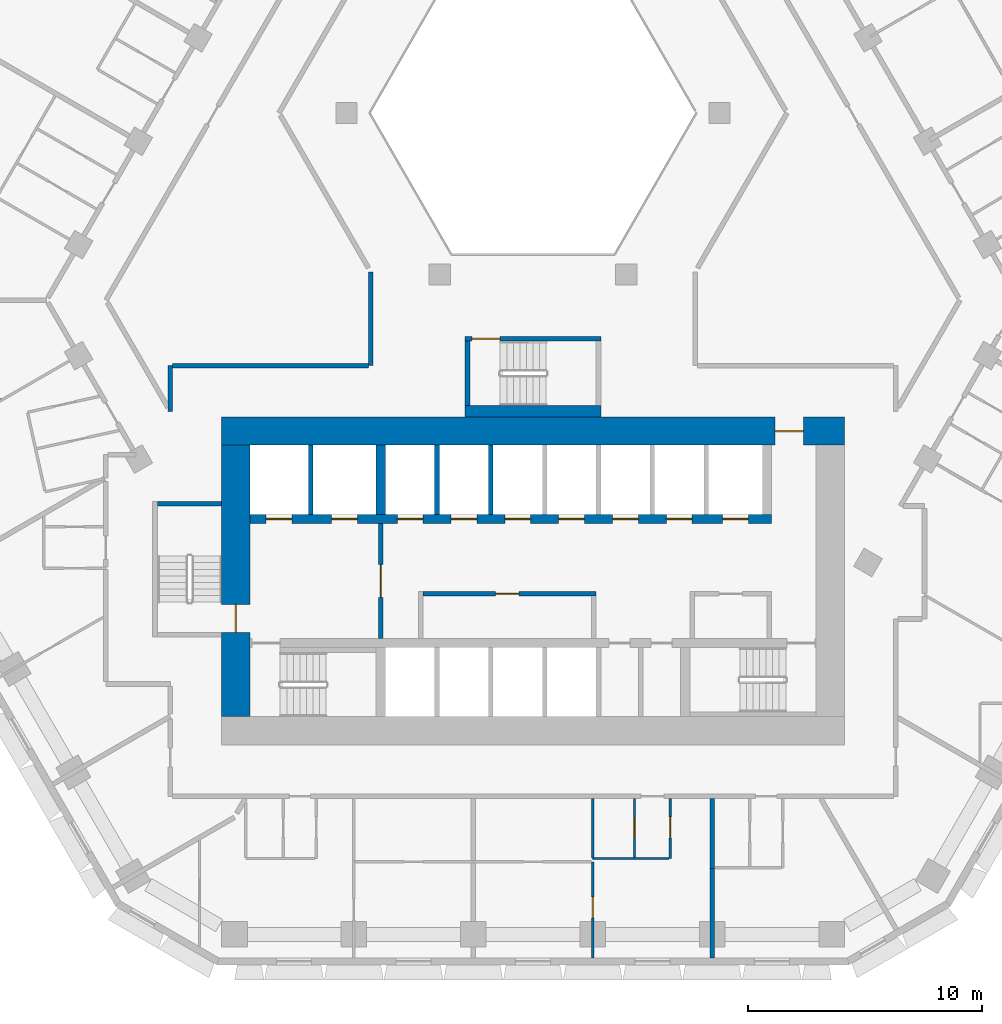
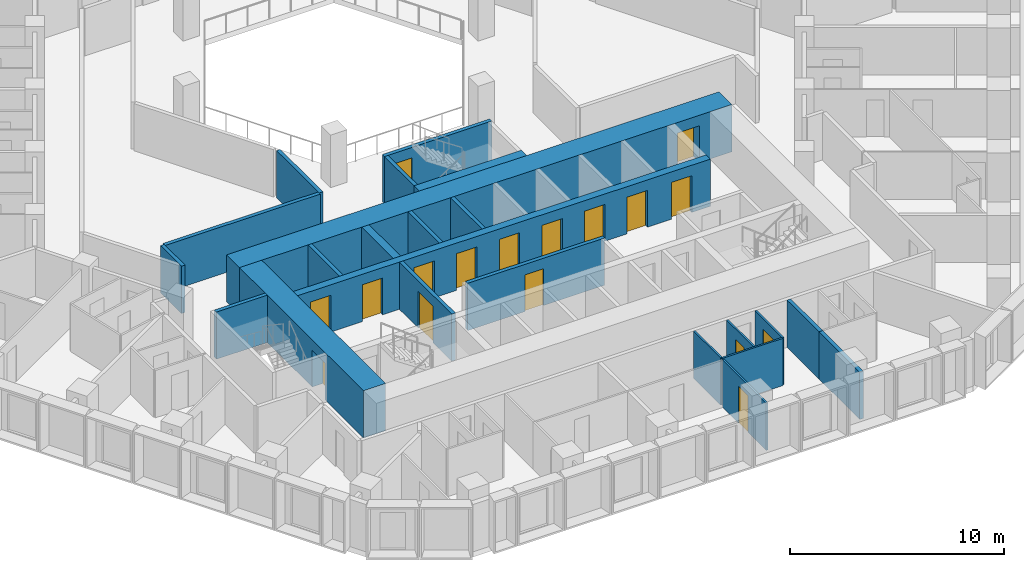
# One storey, part 5 of 16: 23 walls, 17 doors, 17 openings.
"""IFC4 building model written with IfcOpenShell, lengths in metres."""

from ifc_helpers import new_model, si_unit, direction, frame, frame_2d, origin, place, context, subcontext, project, spatial, rectangle, extrude, material, layer, layer_set, type_object, element, fill, save


model = new_model("IFC4")

# Units and contexts
model_context = context("Model", 3, precision=1e-05, world=origin(), true_north=direction((0.0, 1.0)))
body_context = subcontext(model_context, "Body", "Model", "MODEL_VIEW")
ifc_project = project(units=[si_unit("LENGTHUNIT", "METRE"), si_unit("AREAUNIT", "SQUARE_METRE"), si_unit("VOLUMEUNIT", "CUBIC_METRE"), si_unit("PLANEANGLEUNIT", "RADIAN"), si_unit("MASSUNIT", "GRAM", prefix="KILO")], contexts=[model_context])

# Site, building, storey
site_placement = place(None, origin())
site = spatial("IfcSite", under=ifc_project, at=site_placement, CompositionType="ELEMENT")
building_placement = place(site_placement, origin())
building = spatial("IfcBuilding", under=site, at=building_placement, Name="Beryl Residences", CompositionType="ELEMENT")
storey_placement = place(building_placement, frame((0.0, 0.0, 50.39990234375)))
storey = spatial("IfcBuildingStorey", under=building, at=storey_placement, Name="L15", CompositionType="ELEMENT", Elevation=50.39990234375)

# Walls
ifc_material_1 = material(Name="Gypsum board partition on steel studs", Category="steel")
ifc_layer_1 = layer(ifc_material_1, 0.10009765625)
ifc_layer_set_1 = layer_set([ifc_layer_1], Name="PT1 partition 100 mm gypsum board on steel studs")
wall_type_1 = type_object("IfcWallType", Name="PT1 partition 100 mm gypsum board on steel studs", PredefinedType="PARTITIONING", material=ifc_layer_set_1)
wall_1_placement = place(storey_placement, frame((2.552978515625, -21.300048828125, 0.0), z_axis=(0.0, 0.0, 1.0), x_axis=(0.0, -1.0, 0.0)))
element("IfcWall", 1, at=wall_1_placement, inside=storey, type_object=wall_type_1, Name="Wall PT1 L15 010", PredefinedType="PARTITIONING", context=body_context, shape_type="SweptSolid", body=[
    extrude(rectangle(XDim=2.530029296875, YDim=0.10009765625, at=frame_2d((1.26513671875, 0.0))), origin(), (0.0, 0.0, 1.0), 2.7001953125),
])
wall_2_placement = place(storey_placement, frame((2.552978515625, -23.860107421875, 0.0), z_axis=(0.0, 0.0, 1.0), x_axis=(1.0, 0.0, 0.0)))
element("IfcWall", 2, at=wall_2_placement, inside=storey, type_object=wall_type_1, Name="Wall PT1 L15 029", PredefinedType="PARTITIONING", context=body_context, shape_type="SweptSolid", body=[
    extrude(rectangle(XDim=3.26708984375, YDim=0.10009765625, at=frame_2d((1.633544921875, 0.0))), origin(), (0.0, 0.0, 1.0), 2.7001953125),
])

# Wall, opening, door
wall_3_placement = place(storey_placement, frame((4.339111328125, -23.81005859375, 0.0), z_axis=(0.0, 0.0, 1.0), x_axis=(0.0, 1.0, 0.0)))
wall_3 = element("IfcWall", 3, at=wall_3_placement, inside=storey, type_object=wall_type_1, Name="Wall PT1 L15 041", PredefinedType="PARTITIONING", context=body_context, shape_type="SweptSolid", body=[
    extrude(rectangle(XDim=2.510009765625, YDim=0.10009765625, at=frame_2d((1.2548828125, 0.0))), origin(), (0.0, 0.0, 1.0), 2.7001953125),
])
opening_1_placement = place(wall_3_placement, frame((0.8798828125, 0.0, 0.0)))
opening_1 = element("IfcOpeningElement", 4, at=opening_1_placement, cuts=wall_3, Name="Opening D0529", PredefinedType="OPENING", context=body_context, shape_type="SweptSolid", body=[
    extrude(rectangle(XDim=0.800048828125, YDim=2.10009765625, at=frame_2d((0.39990234375, 1.050048828125))), frame((0.0, 0.06005859375, 0.0), z_axis=(0.0, -1.0, 0.0), x_axis=(1.0, 0.0, 0.0)), (0.0, 0.0, 1.0), 0.1201171875),
])
ifc_material_2 = material(Name="Timber door leaf", Category="wood")
door_type_1 = type_object("IfcDoorType", Name="D3 bathroom door 800 x 2100 mm", OperationType="SINGLE_SWING_LEFT", PredefinedType="DOOR", material=ifc_material_2)
door_1_placement = place(opening_1_placement, origin())
door_1 = element("IfcDoor", 5, at=door_1_placement, inside=storey, type_object=door_type_1, Name="Door D0529 L15 001", OperationType="SINGLE_SWING_LEFT", OverallHeight=2.10009765625, OverallWidth=0.800048828125, PredefinedType="DOOR", context=body_context, shape_type="SweptSolid", body=[
    extrude(rectangle(XDim=0.800048828125, YDim=2.10009765625, at=frame_2d((0.39990234375, 1.050048828125))), frame((0.0, 0.02490234375, 0.0), z_axis=(0.0, -1.0, 0.0), x_axis=(1.0, 0.0, 0.0)), (0.0, 0.0, 1.0), 0.050048828125),
])
fill(opening_1, door_1)

wall_4_placement = place(storey_placement, frame((5.87109375, -23.85888671875, 0.0), z_axis=(0.0, 0.0, 1.0), x_axis=(0.0, 1.0, 0.0)))
wall_4 = element("IfcWall", 6, at=wall_4_placement, inside=storey, type_object=wall_type_1, Name="Wall PT1 L15 042", PredefinedType="PARTITIONING", context=body_context, shape_type="SweptSolid", body=[
    extrude(rectangle(XDim=2.558837890625, YDim=0.10009765625, at=frame_2d((1.279296875, 0.0))), origin(), (0.0, 0.0, 1.0), 2.7001953125),
])
opening_2_placement = place(wall_4_placement, frame((0.87890625, 0.0, 0.0)))
opening_2 = element("IfcOpeningElement", 7, at=opening_2_placement, cuts=wall_4, Name="Opening D0528", PredefinedType="OPENING", context=body_context, shape_type="SweptSolid", body=[
    extrude(rectangle(XDim=0.89990234375, YDim=2.10009765625, at=frame_2d((0.449951171875, 1.050048828125))), frame((0.0, 0.06005859375, 0.0), z_axis=(0.0, -1.0, 0.0), x_axis=(1.0, 0.0, 0.0)), (0.0, 0.0, 1.0), 0.1201171875),
])
ifc_material_3 = material(Name="Timber door leaf", Category="wood")
door_type_2 = type_object("IfcDoorType", Name="D2 room door 900 x 2100 mm", OperationType="SINGLE_SWING_LEFT", PredefinedType="DOOR", material=ifc_material_3)
door_2_placement = place(opening_2_placement, origin())
door_2 = element("IfcDoor", 8, at=door_2_placement, inside=storey, type_object=door_type_2, Name="Door D0528 L15 001", OperationType="SINGLE_SWING_RIGHT", OverallHeight=2.10009765625, OverallWidth=0.89990234375, PredefinedType="DOOR", context=body_context, shape_type="SweptSolid", body=[
    extrude(rectangle(XDim=0.89990234375, YDim=2.10009765625, at=frame_2d((0.449951171875, 1.050048828125))), frame((0.0, 0.02490234375, 0.0), z_axis=(0.0, -1.0, 0.0), x_axis=(1.0, 0.0, 0.0)), (0.0, 0.0, 1.0), 0.050048828125),
])
fill(opening_2, door_2)

wall_5_placement = place(storey_placement, frame((2.552978515625, -28.10009765625, 0.0), z_axis=(0.0, 0.0, 1.0), x_axis=(0.0, 1.0, 0.0)))
wall_5 = element("IfcWall", 9, at=wall_5_placement, inside=storey, type_object=wall_type_1, Name="Wall PT1 L15 048", PredefinedType="PARTITIONING", context=body_context, shape_type="SweptSolid", body=[
    extrude(rectangle(XDim=4.10009765625, YDim=0.10009765625, at=frame_2d((2.050048828125, 0.0))), origin(), (0.0, 0.0, 1.0), 2.7001953125),
])
opening_3_placement = place(wall_5_placement, frame((1.699951171875, 0.0, 0.0)))
opening_3 = element("IfcOpeningElement", 10, at=opening_3_placement, cuts=wall_5, Name="Opening D0530", PredefinedType="OPENING", context=body_context, shape_type="SweptSolid", body=[
    extrude(rectangle(XDim=0.89990234375, YDim=2.10009765625, at=frame_2d((0.449951171875, 1.050048828125))), frame((0.0, 0.06005859375, 0.0), z_axis=(0.0, -1.0, 0.0), x_axis=(1.0, 0.0, 0.0)), (0.0, 0.0, 1.0), 0.1201171875),
])
door_3_placement = place(opening_3_placement, origin())
door_3 = element("IfcDoor", 11, at=door_3_placement, inside=storey, type_object=door_type_2, Name="Door D0530 L15 001", OperationType="SINGLE_SWING_RIGHT", OverallHeight=2.10009765625, OverallWidth=0.89990234375, PredefinedType="DOOR", context=body_context, shape_type="SweptSolid", body=[
    extrude(rectangle(XDim=0.89990234375, YDim=2.10009765625, at=frame_2d((0.449951171875, 1.050048828125))), frame((0.0, 0.02490234375, 0.0), z_axis=(0.0, -1.0, 0.0), x_axis=(1.0, 0.0, 0.0)), (0.0, 0.0, 1.0), 0.050048828125),
])
fill(opening_3, door_3)

ifc_material_4 = material(Name="Concrete masonry", Category="masonry")
ifc_layer_2 = layer(ifc_material_4, 0.199951171875)
ifc_layer_set_2 = layer_set([ifc_layer_2], Name="PT13 lobby wall 200 mm")
wall_type_2 = type_object("IfcWallType", Name="PT13 lobby wall 200 mm", PredefinedType="PARTITIONING", material=ifc_layer_set_2)
wall_6_placement = place(storey_placement, frame((-6.5, -14.449951171875, 0.0), z_axis=(0.0, 0.0, 1.0), x_axis=(0.0, 1.0, 0.0)))
wall_6 = element("IfcWall", 12, at=wall_6_placement, inside=storey, type_object=wall_type_2, Name="Lobby wall 06", PredefinedType="PARTITIONING", context=body_context, shape_type="SweptSolid", body=[
    extrude(rectangle(XDim=4.89990234375, YDim=0.199951171875, at=frame_2d((2.449951171875, 0.0))), origin(), (0.0, 0.0, 1.0), 2.7001953125),
])
opening_4_placement = place(wall_6_placement, frame((3.14990234375, 0.0, 0.0), z_axis=(0.0, 0.0, 1.0), x_axis=(-1.0, 0.0, 0.0)))
opening_4 = element("IfcOpeningElement", 13, at=opening_4_placement, cuts=wall_6, Name="Opening FD-FFL", PredefinedType="OPENING", context=body_context, shape_type="SweptSolid", body=[
    extrude(rectangle(XDim=1.39990234375, YDim=2.10009765625, at=frame_2d((0.699951171875, 1.050048828125))), frame((0.0, 0.10986328125, 0.0), z_axis=(0.0, -1.0, 0.0), x_axis=(1.0, 0.0, 0.0)), (0.0, 0.0, 1.0), 0.219970703125),
])
ifc_material_5 = material(Name="Steel door leaf in steel frame", Category="steel")
door_type_3 = type_object("IfcDoorType", Name="D5 lobby door 1400 x 2100 mm", OperationType="DOUBLE_DOOR_SINGLE_SWING", PredefinedType="DOOR", material=ifc_material_5)
door_4_placement = place(opening_4_placement, origin())
door_4 = element("IfcDoor", 14, at=door_4_placement, inside=storey, type_object=door_type_3, Name="Door FD-FFL L15 001", OperationType="DOUBLE_DOOR_SINGLE_SWING", OverallHeight=2.10009765625, OverallWidth=1.39990234375, PredefinedType="DOOR", context=body_context, shape_type="SweptSolid", body=[
    extrude(rectangle(XDim=1.39990234375, YDim=2.10009765625, at=frame_2d((0.699951171875, 1.050048828125))), frame((0.0, 0.02490234375, 0.0), z_axis=(0.0, -1.0, 0.0), x_axis=(1.0, 0.0, 0.0)), (0.0, 0.0, 1.0), 0.050048828125),
])
fill(opening_4, door_4)

wall_7_placement = place(storey_placement, frame((-4.699951171875, -12.550048828125, 0.0), z_axis=(0.0, 0.0, 1.0), x_axis=(1.0, 0.0, 0.0)))
wall_7 = element("IfcWall", 15, at=wall_7_placement, inside=storey, type_object=wall_type_2, Name="Lobby wall 08", PredefinedType="PARTITIONING", context=body_context, shape_type="SweptSolid", body=[
    extrude(rectangle(XDim=7.39990234375, YDim=0.199951171875, at=frame_2d((3.699951171875, 0.0))), origin(), (0.0, 0.0, 1.0), 2.7001953125),
])
opening_5_placement = place(wall_7_placement, frame((4.10009765625, 0.0, 0.0), z_axis=(0.0, 0.0, 1.0), x_axis=(-1.0, 0.0, 0.0)))
opening_5 = element("IfcOpeningElement", 16, at=opening_5_placement, cuts=wall_7, Name="Opening CD-D-A1", PredefinedType="OPENING", context=body_context, shape_type="SweptSolid", body=[
    extrude(rectangle(XDim=1.0, YDim=2.10009765625, at=frame_2d((0.5, 1.050048828125))), frame((0.0, 0.10986328125, 0.0), z_axis=(0.0, -1.0, 0.0), x_axis=(1.0, 0.0, 0.0)), (0.0, 0.0, 1.0), 0.219970703125),
])
ifc_material_6 = material(Name="Steel door leaf in steel frame", Category="steel")
door_type_4 = type_object("IfcDoorType", Name="D18 service room door 1000 x 2100 mm", OperationType="SINGLE_SWING_LEFT", PredefinedType="DOOR", material=ifc_material_6)
door_5_placement = place(opening_5_placement, origin())
door_5 = element("IfcDoor", 17, at=door_5_placement, inside=storey, type_object=door_type_4, Name="Door CD-D-A1 L15 001", OperationType="SINGLE_SWING_RIGHT", OverallHeight=2.10009765625, OverallWidth=1.0, PredefinedType="DOOR", context=body_context, shape_type="SweptSolid", body=[
    extrude(rectangle(XDim=1.0, YDim=2.10009765625, at=frame_2d((0.5, 1.050048828125))), frame((0.0, 0.02490234375, 0.0), z_axis=(0.0, -1.0, 0.0), x_axis=(1.0, 0.0, 0.0)), (0.0, 0.0, 1.0), 0.050048828125),
])
fill(opening_5, door_5)

# Walls
ifc_material_7 = material(Name="Acoustic double stud gypsum board wall")
ifc_layer_3 = layer(ifc_material_7, 0.199951171875)
ifc_layer_set_3 = layer_set([ifc_layer_3], Name="PT3 party wall 200 mm acoustic double stud")
wall_type_3 = type_object("IfcWallType", Name="PT3 party wall 200 mm acoustic double stud", PredefinedType="PARTITIONING", material=ifc_layer_set_3)
wall_8_placement = place(storey_placement, frame((7.656982421875, -21.300048828125, 0.0), z_axis=(0.0, 0.0, 1.0), x_axis=(0.0, -1.0, 0.0)))
element("IfcWall", 18, at=wall_8_placement, inside=storey, type_object=wall_type_3, Name="Wall PT3 L15 003", PredefinedType="PARTITIONING", context=body_context, shape_type="SweptSolid", body=[
    extrude(rectangle(XDim=2.97998046875, YDim=0.199951171875, at=frame_2d((1.489990234375, 0.0))), origin(), (0.0, 0.0, 1.0), 2.7001953125),
])
wall_9_placement = place(storey_placement, frame((7.656982421875, -28.10009765625, 0.0), z_axis=(0.0, 0.0, 1.0), x_axis=(0.0, 1.0, 0.0)))
element("IfcWall", 19, at=wall_9_placement, inside=storey, type_object=wall_type_3, Name="Wall PT3 L15 013", PredefinedType="PARTITIONING", context=body_context, shape_type="SweptSolid", body=[
    extrude(rectangle(XDim=3.860107421875, YDim=0.199951171875, at=frame_2d((1.93017578125, 0.0))), origin(), (0.0, 0.0, 1.0), 2.7001953125),
])
ifc_material_8 = material(Name="Double stud gypsum board wall")
ifc_layer_4 = layer(ifc_material_8, 0.199951171875)
ifc_layer_set_4 = layer_set([ifc_layer_4], Name="PT4 corridor wall 200 mm double stud")
wall_type_4 = type_object("IfcWallType", Name="PT4 corridor wall 200 mm double stud", PredefinedType="PARTITIONING", material=ifc_layer_set_4)
wall_10_placement = place(storey_placement, frame((-15.39990234375, -2.800048828125, 0.0), z_axis=(0.0, 0.0, 1.0), x_axis=(1.0, 0.0, 0.0)))
element("IfcWall", 20, at=wall_10_placement, inside=storey, type_object=wall_type_4, Name="Wall PT4 L15 015", PredefinedType="PARTITIONING", context=body_context, shape_type="SweptSolid", body=[
    extrude(rectangle(XDim=8.371826171875, YDim=0.199951171875, at=frame_2d((4.18603515625, 0.0))), origin(), (0.0, 0.0, 1.0), 2.7001953125),
])
wall_11_placement = place(storey_placement, frame((-6.927978515625, -2.800048828125, 0.0), z_axis=(0.0, 0.0, 1.0), x_axis=(0.0, 1.0, 0.0)))
element("IfcWall", 21, at=wall_11_placement, inside=storey, type_object=wall_type_4, Name="Wall PT4 L15 030", PredefinedType="PARTITIONING", context=body_context, shape_type="SweptSolid", body=[
    extrude(rectangle(XDim=4.0, YDim=0.199951171875, at=frame_2d((2.0, 0.0))), origin(), (0.0, 0.0, 1.0), 2.7001953125),
])
wall_12_placement = place(storey_placement, frame((-15.5, -4.75390625, 0.0), z_axis=(0.0, 0.0, 1.0), x_axis=(0.0, 1.0, 0.0)))
element("IfcWall", 22, at=wall_12_placement, inside=storey, type_object=wall_type_4, Name="Wall PT4 L15 032", PredefinedType="PARTITIONING", context=body_context, shape_type="SweptSolid", body=[
    extrude(rectangle(XDim=1.953857421875, YDim=0.199951171875, at=frame_2d((0.97705078125, 0.0))), origin(), (0.0, 0.0, 1.0), 2.7001953125),
])

# Wall, opening, door
ifc_material_9 = material(Name="Concrete C40/50", Category="concrete")
ifc_layer_5 = layer(ifc_material_9, 0.199951171875)
ifc_layer_set_5 = layer_set([ifc_layer_5], Name="PT5 stair enclosure wall 200 mm reinforced concrete C40/50")
wall_type_5 = type_object("IfcWallType", Name="PT5 stair enclosure wall 200 mm reinforced concrete C40/50", PredefinedType="SOLIDWALL", material=ifc_layer_set_5)
wall_13_placement = place(storey_placement, frame((-2.89990234375, -1.64990234375, 0.0), z_axis=(0.0, 0.0, 1.0), x_axis=(1.0, 0.0, 0.0)))
wall_13 = element("IfcWall", 23, at=wall_13_placement, inside=storey, type_object=wall_type_5, Name="Wall PT5 L15 001", PredefinedType="SOLIDWALL", context=body_context, shape_type="SweptSolid", body=[
    extrude(rectangle(XDim=5.7998046875, YDim=0.199951171875, at=frame_2d((2.89990234375, 0.0))), origin(), (0.0, 0.0, 1.0), 2.7001953125),
])
opening_6_placement = place(wall_13_placement, frame((0.300048828125, 0.0, 0.0)))
opening_6 = element("IfcOpeningElement", 24, at=opening_6_placement, cuts=wall_13, Name="Opening DS04", PredefinedType="OPENING", context=body_context, shape_type="SweptSolid", body=[
    extrude(rectangle(XDim=1.199951171875, YDim=2.10009765625, at=frame_2d((0.60009765625, 1.050048828125))), frame((0.0, 0.10986328125, 0.0), z_axis=(0.0, -1.0, 0.0), x_axis=(1.0, 0.0, 0.0)), (0.0, 0.0, 1.0), 0.219970703125),
])
ifc_material_10 = material(Name="Steel door leaf in steel frame", Category="steel")
door_type_5 = type_object("IfcDoorType", Name="D4 stair door 1200 x 2100 mm", OperationType="SINGLE_SWING_LEFT", PredefinedType="DOOR", material=ifc_material_10)
door_6_placement = place(opening_6_placement, origin())
door_6 = element("IfcDoor", 25, at=door_6_placement, inside=storey, type_object=door_type_5, Name="Door DS04 L15 001", OperationType="SINGLE_SWING_LEFT", OverallHeight=2.10009765625, OverallWidth=1.199951171875, PredefinedType="DOOR", context=body_context, shape_type="SweptSolid", body=[
    extrude(rectangle(XDim=1.199951171875, YDim=2.10009765625, at=frame_2d((0.60009765625, 1.050048828125))), frame((0.0, 0.02490234375, 0.0), z_axis=(0.0, -1.0, 0.0), x_axis=(1.0, 0.0, 0.0)), (0.0, 0.0, 1.0), 0.050048828125),
])
fill(opening_6, door_6)

# Walls
for number, where, z_axis, x_axis, name in (
    (26, (-2.800048828125, -4.5, 0.0), (0.0, 0.0, 1.0), (0.0, 1.0, 0.0), "Wall PT5 L15 002"),
    (27, (-16.050048828125, -8.699951171875, 0.0), (0.0, 0.0, 1.0), (1.0, 0.0, 0.0), "Stair wall 03"),
):
    element("IfcWall", number, at=place(storey_placement, frame(where, z_axis=z_axis, x_axis=x_axis)), inside=storey, type_object=wall_type_5, Name=name, PredefinedType="SOLIDWALL", context=body_context, shape_type="SweptSolid", body=[
        extrude(rectangle(XDim=2.75, YDim=0.199951171875, at=frame_2d((1.375, 0.0))), origin(), (0.0, 0.0, 1.0), 2.7001953125),
    ])
ifc_material_11 = material(Name="Concrete C40/50", Category="concrete")
ifc_layer_6 = layer(ifc_material_11, 0.5)
ifc_layer_set_6 = layer_set([ifc_layer_6], Name="PT5-500 stair enclosure wall 500 mm")
wall_type_6 = type_object("IfcWallType", Name="PT5-500 stair enclosure wall 500 mm", PredefinedType="SOLIDWALL", material=ifc_layer_set_6)
wall_14_placement = place(storey_placement, frame((-2.89990234375, -4.75, 0.0), z_axis=(0.0, 0.0, 1.0), x_axis=(1.0, 0.0, 0.0)))
element("IfcWall", 28, at=wall_14_placement, inside=storey, type_object=wall_type_6, Name="Wall PT5-500 L15 001", PredefinedType="SOLIDWALL", context=body_context, shape_type="SweptSolid", body=[
    extrude(rectangle(XDim=5.7998046875, YDim=0.5, at=frame_2d((2.89990234375, 0.0))), origin(), (0.0, 0.0, 1.0), 2.7001953125),
])
ifc_material_12 = material(Name="Concrete C40/50", Category="concrete")
ifc_layer_7 = layer(ifc_material_12, 0.199951171875)
ifc_layer_set_7 = layer_set([ifc_layer_7], Name="PT6 lift shaft wall 200 mm reinforced concrete C40/50")
wall_type_7 = type_object("IfcWallType", Name="PT6 lift shaft wall 200 mm reinforced concrete C40/50", PredefinedType="SOLIDWALL", material=ifc_layer_set_7)
for number, where, z_axis, x_axis, name in (
    (29, (-9.5, -9.14990234375, 0.0), (0.0, 0.0, 1.0), (0.0, 1.0, 0.0), "Lift shaft wall 05"),
    (30, (-4.10009765625, -9.14990234375, 0.0), (0.0, 0.0, 1.0), (0.0, 1.0, 0.0), "Lift shaft wall 10"),
    (31, (-1.800048828125, -9.14990234375, 0.0), (0.0, 0.0, 1.0), (0.0, 1.0, 0.0), "Lift shaft wall 12"),
):
    element("IfcWall", number, at=place(storey_placement, frame(where, z_axis=z_axis, x_axis=x_axis)), inside=storey, type_object=wall_type_7, Name=name, PredefinedType="SOLIDWALL", context=body_context, shape_type="SweptSolid", body=[
        extrude(rectangle(XDim=2.949951171875, YDim=0.199951171875, at=frame_2d((1.47509765625, 0.0))), origin(), (0.0, 0.0, 1.0), 2.7001953125),
    ])

# Wall, opening, door
ifc_material_13 = material(Name="Concrete C80/95", Category="concrete")
ifc_layer_8 = layer(ifc_material_13, 1.199951171875)
ifc_layer_set_8 = layer_set([ifc_layer_8], Name="SW1 core outer wall 1200 mm C80/95")
wall_type_8 = type_object("IfcWallType", Name="SW1 core outer wall 1200 mm C80/95", PredefinedType="SHEAR", material=ifc_layer_set_8)
wall_15_placement = place(storey_placement, frame((-13.300048828125, -5.60009765625, 0.0), z_axis=(0.0, 0.0, 1.0), x_axis=(1.0, 0.0, 0.0)))
wall_15 = element("IfcWall", 32, at=wall_15_placement, inside=storey, type_object=wall_type_8, Name="Core wall N L15", PredefinedType="SHEAR", context=body_context, shape_type="SweptSolid", body=[
    extrude(rectangle(XDim=26.60009765625, YDim=1.199951171875, at=frame_2d((13.300048828125, 0.0))), origin(), (0.0, 0.0, 1.0), 2.7001953125),
])
opening_7_placement = place(wall_15_placement, frame((23.64990234375, 0.0, 0.0)))
opening_7 = element("IfcOpeningElement", 33, at=opening_7_placement, cuts=wall_15, Name="Opening FD-NORTH", PredefinedType="OPENING", context=body_context, shape_type="SweptSolid", body=[
    extrude(rectangle(XDim=1.199951171875, YDim=2.10009765625, at=frame_2d((0.60009765625, 1.050048828125))), frame((0.0, 0.60986328125, 0.0), z_axis=(0.0, -1.0, 0.0), x_axis=(1.0, 0.0, 0.0)), (0.0, 0.0, 1.0), 1.219970703125),
])
ifc_material_14 = material(Name="Steel door leaf in steel frame", Category="steel")
door_type_6 = type_object("IfcDoorType", Name="D22 lobby door 1200 x 2100 mm", OperationType="DOUBLE_DOOR_SINGLE_SWING", PredefinedType="DOOR", material=ifc_material_14)
door_7_placement = place(opening_7_placement, origin())
door_7 = element("IfcDoor", 34, at=door_7_placement, inside=storey, type_object=door_type_6, Name="Door FD-NORTH L15 001", OperationType="DOUBLE_DOOR_SINGLE_SWING", OverallHeight=2.10009765625, OverallWidth=1.199951171875, PredefinedType="DOOR", context=body_context, shape_type="SweptSolid", body=[
    extrude(rectangle(XDim=1.199951171875, YDim=2.10009765625, at=frame_2d((0.60009765625, 1.050048828125))), frame((0.0, 0.02490234375, 0.0), z_axis=(0.0, -1.0, 0.0), x_axis=(1.0, 0.0, 0.0)), (0.0, 0.0, 1.0), 0.050048828125),
])
fill(opening_7, door_7)

wall_16_placement = place(storey_placement, frame((-12.699951171875, -17.800048828125, 0.0), z_axis=(0.0, 0.0, 1.0), x_axis=(0.0, 1.0, 0.0)))
wall_16 = element("IfcWall", 35, at=wall_16_placement, inside=storey, type_object=wall_type_8, Name="Core wall W L15", PredefinedType="SHEAR", context=body_context, shape_type="SweptSolid", body=[
    extrude(rectangle(XDim=11.60009765625, YDim=1.199951171875, at=frame_2d((5.800048828125, 0.0))), origin(), (0.0, 0.0, 1.0), 2.7001953125),
])
opening_8_placement = place(wall_16_placement, frame((3.60009765625, 0.0, 0.0)))
opening_8 = element("IfcOpeningElement", 36, at=opening_8_placement, cuts=wall_16, Name="Opening SD-2", PredefinedType="OPENING", context=body_context, shape_type="SweptSolid", body=[
    extrude(rectangle(XDim=1.199951171875, YDim=2.10009765625, at=frame_2d((0.60009765625, 1.050048828125))), frame((0.0, 0.60986328125, 0.0), z_axis=(0.0, -1.0, 0.0), x_axis=(1.0, 0.0, 0.0)), (0.0, 0.0, 1.0), 1.219970703125),
])
door_8_placement = place(opening_8_placement, origin())
door_8 = element("IfcDoor", 37, at=door_8_placement, inside=storey, type_object=door_type_5, Name="Door SD-2 L15 001", OperationType="SINGLE_SWING_RIGHT", OverallHeight=2.10009765625, OverallWidth=1.199951171875, PredefinedType="DOOR", context=body_context, shape_type="SweptSolid", body=[
    extrude(rectangle(XDim=1.199951171875, YDim=2.10009765625, at=frame_2d((0.60009765625, 1.050048828125))), frame((0.0, 0.02490234375, 0.0), z_axis=(0.0, -1.0, 0.0), x_axis=(1.0, 0.0, 0.0)), (0.0, 0.0, 1.0), 0.050048828125),
])
fill(opening_8, door_8)

# Wall, openings, doors
ifc_material_15 = material(Name="Concrete C80/95", Category="concrete")
ifc_layer_9 = layer(ifc_material_15, 0.39990234375)
ifc_layer_set_9 = layer_set([ifc_layer_9], Name="SW6 core internal wall 400 mm C80/95")
wall_type_9 = type_object("IfcWallType", Name="SW6 core internal wall 400 mm C80/95", PredefinedType="SHEAR", material=ifc_layer_set_9)
wall_17_placement = place(storey_placement, frame((-12.10009765625, -9.35009765625, 0.0), z_axis=(0.0, 0.0, 1.0), x_axis=(1.0, 0.0, 0.0)))
wall_17 = element("IfcWall", 38, at=wall_17_placement, inside=storey, type_object=wall_type_9, Name="Core wall SP2 L15", PredefinedType="SHEAR", context=body_context, shape_type="SweptSolid", body=[
    extrude(rectangle(XDim=22.300048828125, YDim=0.39990234375, at=frame_2d((11.14990234375, 0.0))), origin(), (0.0, 0.0, 1.0), 2.7001953125),
])
opening_9_placement = place(wall_17_placement, frame((0.699951171875, 0.0, 0.0)))
opening_9 = element("IfcOpeningElement", 39, at=opening_9_placement, cuts=wall_17, Name="Opening LD-FF1", PredefinedType="OPENING", context=body_context, shape_type="SweptSolid", body=[
    extrude(rectangle(XDim=1.10009765625, YDim=2.10009765625, at=frame_2d((0.550048828125, 1.050048828125))), frame((0.0, 0.2099609375, 0.0), z_axis=(0.0, -1.0, 0.0), x_axis=(1.0, 0.0, 0.0)), (0.0, 0.0, 1.0), 0.419921875),
])
opening_10_placement = place(wall_17_placement, frame((3.5, 0.0, 0.0)))
opening_10 = element("IfcOpeningElement", 40, at=opening_10_placement, cuts=wall_17, Name="Opening LD-FF2", PredefinedType="OPENING", context=body_context, shape_type="SweptSolid", body=[
    extrude(rectangle(XDim=1.10009765625, YDim=2.10009765625, at=frame_2d((0.550048828125, 1.050048828125))), frame((0.0, 0.2099609375, 0.0), z_axis=(0.0, -1.0, 0.0), x_axis=(1.0, 0.0, 0.0)), (0.0, 0.0, 1.0), 0.419921875),
])
opening_11_placement = place(wall_17_placement, frame((6.300048828125, 0.0, 0.0)))
opening_11 = element("IfcOpeningElement", 41, at=opening_11_placement, cuts=wall_17, Name="Opening LD-LR1", PredefinedType="OPENING", context=body_context, shape_type="SweptSolid", body=[
    extrude(rectangle(XDim=1.10009765625, YDim=2.10009765625, at=frame_2d((0.550048828125, 1.050048828125))), frame((0.0, 0.2099609375, 0.0), z_axis=(0.0, -1.0, 0.0), x_axis=(1.0, 0.0, 0.0)), (0.0, 0.0, 1.0), 0.419921875),
])
opening_12_placement = place(wall_17_placement, frame((8.60009765625, 0.0, 0.0)))
opening_12 = element("IfcOpeningElement", 42, at=opening_12_placement, cuts=wall_17, Name="Opening LD-LR2", PredefinedType="OPENING", context=body_context, shape_type="SweptSolid", body=[
    extrude(rectangle(XDim=1.10009765625, YDim=2.10009765625, at=frame_2d((0.550048828125, 1.050048828125))), frame((0.0, 0.2099609375, 0.0), z_axis=(0.0, -1.0, 0.0), x_axis=(1.0, 0.0, 0.0)), (0.0, 0.0, 1.0), 0.419921875),
])
opening_13_placement = place(wall_17_placement, frame((10.89990234375, 0.0, 0.0)))
opening_13 = element("IfcOpeningElement", 43, at=opening_13_placement, cuts=wall_17, Name="Opening LD-LR3", PredefinedType="OPENING", context=body_context, shape_type="SweptSolid", body=[
    extrude(rectangle(XDim=1.10009765625, YDim=2.10009765625, at=frame_2d((0.550048828125, 1.050048828125))), frame((0.0, 0.2099609375, 0.0), z_axis=(0.0, -1.0, 0.0), x_axis=(1.0, 0.0, 0.0)), (0.0, 0.0, 1.0), 0.419921875),
])
opening_14_placement = place(wall_17_placement, frame((13.199951171875, 0.0, 0.0)))
opening_14 = element("IfcOpeningElement", 44, at=opening_14_placement, cuts=wall_17, Name="Opening LD-LR4", PredefinedType="OPENING", context=body_context, shape_type="SweptSolid", body=[
    extrude(rectangle(XDim=1.10009765625, YDim=2.10009765625, at=frame_2d((0.550048828125, 1.050048828125))), frame((0.0, 0.2099609375, 0.0), z_axis=(0.0, -1.0, 0.0), x_axis=(1.0, 0.0, 0.0)), (0.0, 0.0, 1.0), 0.419921875),
])
opening_15_placement = place(wall_17_placement, frame((15.5, 0.0, 0.0)))
opening_15 = element("IfcOpeningElement", 45, at=opening_15_placement, cuts=wall_17, Name="Opening LD-LR5", PredefinedType="OPENING", context=body_context, shape_type="SweptSolid", body=[
    extrude(rectangle(XDim=1.10009765625, YDim=2.10009765625, at=frame_2d((0.550048828125, 1.050048828125))), frame((0.0, 0.2099609375, 0.0), z_axis=(0.0, -1.0, 0.0), x_axis=(1.0, 0.0, 0.0)), (0.0, 0.0, 1.0), 0.419921875),
])
opening_16_placement = place(wall_17_placement, frame((17.800048828125, 0.0, 0.0)))
opening_16 = element("IfcOpeningElement", 46, at=opening_16_placement, cuts=wall_17, Name="Opening LD-LR6", PredefinedType="OPENING", context=body_context, shape_type="SweptSolid", body=[
    extrude(rectangle(XDim=1.10009765625, YDim=2.10009765625, at=frame_2d((0.550048828125, 1.050048828125))), frame((0.0, 0.2099609375, 0.0), z_axis=(0.0, -1.0, 0.0), x_axis=(1.0, 0.0, 0.0)), (0.0, 0.0, 1.0), 0.419921875),
])
opening_17_placement = place(wall_17_placement, frame((20.199951171875, 0.0, 0.0)))
opening_17 = element("IfcOpeningElement", 47, at=opening_17_placement, cuts=wall_17, Name="Opening LD-SL1", PredefinedType="OPENING", context=body_context, shape_type="SweptSolid", body=[
    extrude(rectangle(XDim=1.10009765625, YDim=2.10009765625, at=frame_2d((0.550048828125, 1.050048828125))), frame((0.0, 0.2099609375, 0.0), z_axis=(0.0, -1.0, 0.0), x_axis=(1.0, 0.0, 0.0)), (0.0, 0.0, 1.0), 0.419921875),
])
ifc_material_16 = material(Name="Stainless steel sliding door", Category="steel")
door_type_7 = type_object("IfcDoorType", Name="LD1 lift landing door 1100 x 2100 mm", OperationType="DOUBLE_DOOR_SLIDING", PredefinedType="DOOR", material=ifc_material_16)
door_9_placement = place(opening_9_placement, origin())
door_9 = element("IfcDoor", 48, at=door_9_placement, inside=storey, type_object=door_type_7, Name="Lift landing door FF1", OperationType="DOUBLE_DOOR_SLIDING", OverallHeight=2.10009765625, OverallWidth=1.10009765625, PredefinedType="DOOR", context=body_context, shape_type="SweptSolid", body=[
    extrude(rectangle(XDim=1.10009765625, YDim=2.10009765625, at=frame_2d((0.550048828125, 1.050048828125))), frame((0.0, 0.02490234375, 0.0), z_axis=(0.0, -1.0, 0.0), x_axis=(1.0, 0.0, 0.0)), (0.0, 0.0, 1.0), 0.050048828125),
])
fill(opening_9, door_9)
door_10_placement = place(opening_10_placement, origin())
door_10 = element("IfcDoor", 49, at=door_10_placement, inside=storey, type_object=door_type_7, Name="Lift landing door FF2", OperationType="DOUBLE_DOOR_SLIDING", OverallHeight=2.10009765625, OverallWidth=1.10009765625, PredefinedType="DOOR", context=body_context, shape_type="SweptSolid", body=[
    extrude(rectangle(XDim=1.10009765625, YDim=2.10009765625, at=frame_2d((0.550048828125, 1.050048828125))), frame((0.0, 0.02490234375, 0.0), z_axis=(0.0, -1.0, 0.0), x_axis=(1.0, 0.0, 0.0)), (0.0, 0.0, 1.0), 0.050048828125),
])
fill(opening_10, door_10)
door_11_placement = place(opening_11_placement, origin())
door_11 = element("IfcDoor", 50, at=door_11_placement, inside=storey, type_object=door_type_7, Name="Lift landing door LR1", OperationType="DOUBLE_DOOR_SLIDING", OverallHeight=2.10009765625, OverallWidth=1.10009765625, PredefinedType="DOOR", context=body_context, shape_type="SweptSolid", body=[
    extrude(rectangle(XDim=1.10009765625, YDim=2.10009765625, at=frame_2d((0.550048828125, 1.050048828125))), frame((0.0, 0.02490234375, 0.0), z_axis=(0.0, -1.0, 0.0), x_axis=(1.0, 0.0, 0.0)), (0.0, 0.0, 1.0), 0.050048828125),
])
fill(opening_11, door_11)
door_12_placement = place(opening_12_placement, origin())
door_12 = element("IfcDoor", 51, at=door_12_placement, inside=storey, type_object=door_type_7, Name="Lift landing door LR2", OperationType="DOUBLE_DOOR_SLIDING", OverallHeight=2.10009765625, OverallWidth=1.10009765625, PredefinedType="DOOR", context=body_context, shape_type="SweptSolid", body=[
    extrude(rectangle(XDim=1.10009765625, YDim=2.10009765625, at=frame_2d((0.550048828125, 1.050048828125))), frame((0.0, 0.02490234375, 0.0), z_axis=(0.0, -1.0, 0.0), x_axis=(1.0, 0.0, 0.0)), (0.0, 0.0, 1.0), 0.050048828125),
])
fill(opening_12, door_12)
door_13_placement = place(opening_13_placement, origin())
door_13 = element("IfcDoor", 52, at=door_13_placement, inside=storey, type_object=door_type_7, Name="Lift landing door LR3", OperationType="DOUBLE_DOOR_SLIDING", OverallHeight=2.10009765625, OverallWidth=1.10009765625, PredefinedType="DOOR", context=body_context, shape_type="SweptSolid", body=[
    extrude(rectangle(XDim=1.10009765625, YDim=2.10009765625, at=frame_2d((0.550048828125, 1.050048828125))), frame((0.0, 0.02490234375, 0.0), z_axis=(0.0, -1.0, 0.0), x_axis=(1.0, 0.0, 0.0)), (0.0, 0.0, 1.0), 0.050048828125),
])
fill(opening_13, door_13)
door_14_placement = place(opening_14_placement, origin())
door_14 = element("IfcDoor", 53, at=door_14_placement, inside=storey, type_object=door_type_7, Name="Lift landing door LR4", OperationType="DOUBLE_DOOR_SLIDING", OverallHeight=2.10009765625, OverallWidth=1.10009765625, PredefinedType="DOOR", context=body_context, shape_type="SweptSolid", body=[
    extrude(rectangle(XDim=1.10009765625, YDim=2.10009765625, at=frame_2d((0.550048828125, 1.050048828125))), frame((0.0, 0.02490234375, 0.0), z_axis=(0.0, -1.0, 0.0), x_axis=(1.0, 0.0, 0.0)), (0.0, 0.0, 1.0), 0.050048828125),
])
fill(opening_14, door_14)
door_15_placement = place(opening_15_placement, origin())
door_15 = element("IfcDoor", 54, at=door_15_placement, inside=storey, type_object=door_type_7, Name="Lift landing door LR5", OperationType="DOUBLE_DOOR_SLIDING", OverallHeight=2.10009765625, OverallWidth=1.10009765625, PredefinedType="DOOR", context=body_context, shape_type="SweptSolid", body=[
    extrude(rectangle(XDim=1.10009765625, YDim=2.10009765625, at=frame_2d((0.550048828125, 1.050048828125))), frame((0.0, 0.02490234375, 0.0), z_axis=(0.0, -1.0, 0.0), x_axis=(1.0, 0.0, 0.0)), (0.0, 0.0, 1.0), 0.050048828125),
])
fill(opening_15, door_15)
door_16_placement = place(opening_16_placement, origin())
door_16 = element("IfcDoor", 55, at=door_16_placement, inside=storey, type_object=door_type_7, Name="Lift landing door LR6", OperationType="DOUBLE_DOOR_SLIDING", OverallHeight=2.10009765625, OverallWidth=1.10009765625, PredefinedType="DOOR", context=body_context, shape_type="SweptSolid", body=[
    extrude(rectangle(XDim=1.10009765625, YDim=2.10009765625, at=frame_2d((0.550048828125, 1.050048828125))), frame((0.0, 0.02490234375, 0.0), z_axis=(0.0, -1.0, 0.0), x_axis=(1.0, 0.0, 0.0)), (0.0, 0.0, 1.0), 0.050048828125),
])
fill(opening_16, door_16)
door_17_placement = place(opening_17_placement, origin())
door_17 = element("IfcDoor", 56, at=door_17_placement, inside=storey, type_object=door_type_7, Name="Lift landing door SL1", OperationType="DOUBLE_DOOR_SLIDING", OverallHeight=2.10009765625, OverallWidth=1.10009765625, PredefinedType="DOOR", context=body_context, shape_type="SweptSolid", body=[
    extrude(rectangle(XDim=1.10009765625, YDim=2.10009765625, at=frame_2d((0.550048828125, 1.050048828125))), frame((0.0, 0.02490234375, 0.0), z_axis=(0.0, -1.0, 0.0), x_axis=(1.0, 0.0, 0.0)), (0.0, 0.0, 1.0), 0.050048828125),
])
fill(opening_17, door_17)

# Wall
wall_18_placement = place(storey_placement, frame((-6.5, -9.14990234375, 0.0), z_axis=(0.0, 0.0, 1.0), x_axis=(0.0, 1.0, 0.0)))
element("IfcWall", 57, at=wall_18_placement, inside=storey, type_object=wall_type_9, Name="Core wall XN1 L15", PredefinedType="SHEAR", context=body_context, shape_type="SweptSolid", body=[
    extrude(rectangle(XDim=2.949951171875, YDim=0.39990234375, at=frame_2d((1.47509765625, 0.0))), origin(), (0.0, 0.0, 1.0), 2.7001953125),
])

save(model, "model.ifc")
